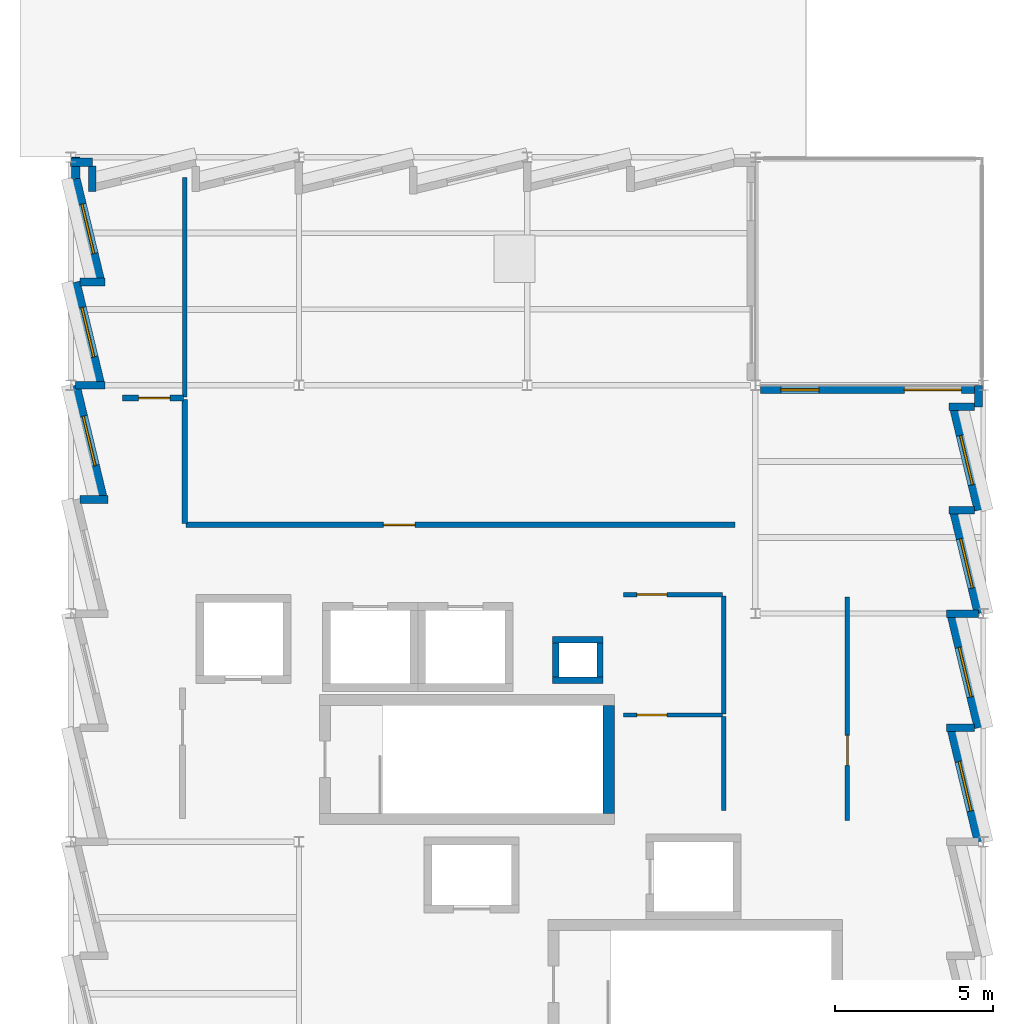
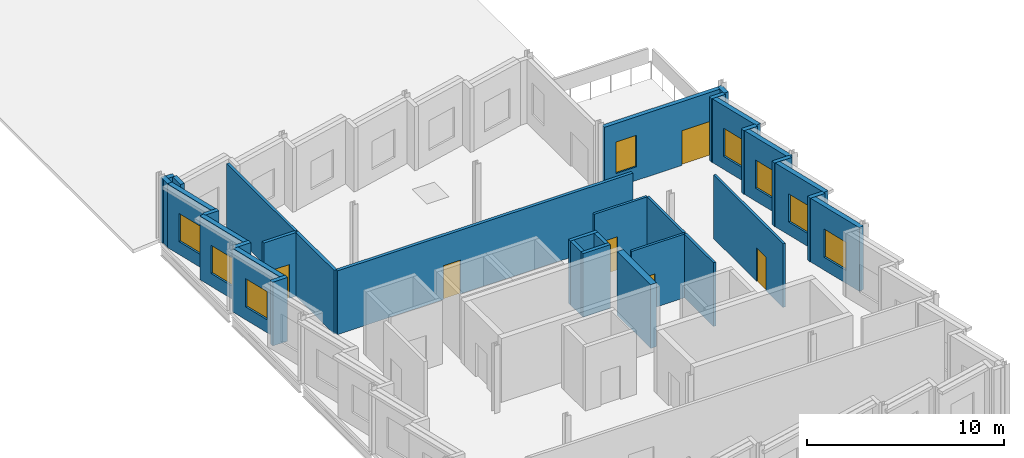
# One storey, part 7 of 9: 33 walls, 8 windows, 6 doors, 14 openings.
"""IFC4 building model written with IfcOpenShell, lengths in metres."""

from ifc_helpers import new_model, si_unit, direction, frame, frame_2d, origin, place, context, subcontext, project, spatial, rectangle, extrude, material, layer, layer_set, type_object, element, fill, save


model = new_model("IFC4")

# Units and contexts
model_context = context("Model", 3, precision=1e-05, world=origin(), true_north=direction((0.0, 1.0)))
body_context = subcontext(model_context, "Body", "Model", "MODEL_VIEW")
ifc_project = project(units=[si_unit("LENGTHUNIT", "METRE"), si_unit("AREAUNIT", "SQUARE_METRE"), si_unit("VOLUMEUNIT", "CUBIC_METRE"), si_unit("PLANEANGLEUNIT", "RADIAN"), si_unit("MASSUNIT", "GRAM", prefix="KILO")], contexts=[model_context])

# Site, building, storey
site_placement = place(None, origin())
site = spatial("IfcSite", under=ifc_project, at=site_placement, CompositionType="ELEMENT")
building_placement = place(site_placement, origin())
building = spatial("IfcBuilding", under=site, at=building_placement, Name="Kalmorath City Hall", CompositionType="ELEMENT")
storey_placement = place(building_placement, frame((0.0, 0.0, 31.050048828125)))
storey = spatial("IfcBuildingStorey", under=building, at=storey_placement, Name="L07", CompositionType="ELEMENT", Elevation=31.050048828125)

# Walls
ifc_material_1 = material(Name="Concrete C50/60", Category="concrete")
ifc_layer_1 = layer(ifc_material_1, 0.35009765625)
ifc_layer_set_1 = layer_set([ifc_layer_1], Name="Concrete C50/60")
wall_type_1 = type_object("IfcWallType", Name="Concrete core shear wall 350", PredefinedType="SHEAR", material=ifc_layer_set_1)
wall_1_placement = place(storey_placement, frame((16.97509765625, 15.300048828125, 0.0), z_axis=(0.0, 0.0, 1.0), x_axis=(0.0, 1.0, 0.0)))
element("IfcWall", 1, at=wall_1_placement, inside=storey, type_object=wall_type_1, Name="L07 C1 stair core shear wall E", PredefinedType="SHEAR", context=body_context, shape_type="SweptSolid", body=[
    extrude(rectangle(XDim=3.39990234375, YDim=0.35009765625, at=frame_2d((1.699951171875, 0.0))), origin(), (0.0, 0.0, 1.0), 3.949951171875),
])
ifc_material_2 = material(Name="Concrete C40/50", Category="concrete")
ifc_layer_2 = layer(ifc_material_2, 0.199951171875)
ifc_layer_set_2 = layer_set([ifc_layer_2], Name="Concrete C40/50")
wall_type_2 = type_object("IfcWallType", Name="Concrete service riser wall 200", PredefinedType="SOLIDWALL", material=ifc_layer_set_2)
for number, where, z_axis, x_axis, name in (
    (2, (15.199951171875, 19.5, 0.0), (0.0, 0.0, 1.0), (1.0, 0.0, 0.0), "L07 RSR-1 riser shaft wall S"),
    (3, (16.800048828125, 20.780029296875, 0.0), (0.0, 0.0, 1.0), (-1.0, 0.0, 0.0), "L07 RSR-1 riser shaft wall N"),
):
    element("IfcWall", number, at=place(storey_placement, frame(where, z_axis=z_axis, x_axis=x_axis)), inside=storey, type_object=wall_type_2, Name=name, PredefinedType="SOLIDWALL", context=body_context, shape_type="SweptSolid", body=[
        extrude(rectangle(XDim=1.60009765625, YDim=0.199951171875, at=frame_2d((0.800048828125, 0.0))), origin(), (0.0, 0.0, 1.0), 3.949951171875),
    ])
for number, where, z_axis, x_axis, name in (
    (4, (15.300048828125, 20.679931640625, 0.0), (0.0, 0.0, 1.0), (0.0, -1.0, 0.0), "L07 RSR-1 riser shaft wall W"),
    (5, (16.699951171875, 19.60009765625, 0.0), (0.0, 0.0, 1.0), (0.0, 1.0, 0.0), "L07 RSR-1 riser shaft wall E"),
):
    element("IfcWall", number, at=place(storey_placement, frame(where, z_axis=z_axis, x_axis=x_axis)), inside=storey, type_object=wall_type_2, Name=name, PredefinedType="SOLIDWALL", context=body_context, shape_type="SweptSolid", body=[
        extrude(rectangle(XDim=1.079833984375, YDim=0.199951171875, at=frame_2d((0.5400390625, 0.0))), origin(), (0.0, 0.0, 1.0), 3.949951171875),
    ])
ifc_material_3 = material(Name="Acoustic metal-stud gypsum partition")
ifc_layer_3 = layer(ifc_material_3, 0.14990234375)
ifc_layer_set_3 = layer_set([ifc_layer_3], Name="Acoustic metal-stud gypsum partition")
wall_type_3 = type_object("IfcWallType", Name="Departmental suite partition 150", PredefinedType="PARTITIONING", material=ifc_layer_set_3)
wall_2_placement = place(storey_placement, frame((3.60009765625, 28.43994140625, 0.0), z_axis=(0.0, 0.0, 1.0), x_axis=(0.0, 1.0, 0.0)))
element("IfcWall", 6, at=wall_2_placement, inside=storey, type_object=wall_type_3, Name="L07 interior partition PW4 #209", PredefinedType="PARTITIONING", context=body_context, shape_type="SweptSolid", body=[
    extrude(rectangle(XDim=6.920166015625, YDim=0.14990234375, at=frame_2d((3.4599609375, 0.0))), origin(), (0.0, 0.0, 1.0), 3.949951171875),
])
ifc_material_4 = material(Name="Fire-rated acoustic gypsum partition")
ifc_layer_4 = layer(ifc_material_4, 0.179931640625)
ifc_layer_set_4 = layer_set([ifc_layer_4], Name="Fire-rated acoustic gypsum partition")
wall_type_4 = type_object("IfcWallType", Name="One-hour corridor fire partition 180", PredefinedType="PARTITIONING", material=ifc_layer_set_4)
wall_3_placement = place(storey_placement, frame((3.60009765625, 24.43994140625, 0.0), z_axis=(0.0, 0.0, 1.0), x_axis=(0.0, 1.0, 0.0)))
element("IfcWall", 7, at=wall_3_placement, inside=storey, type_object=wall_type_4, Name="L07 interior partition PW2 #202", PredefinedType="PARTITIONING", context=body_context, shape_type="SweptSolid", body=[
    extrude(rectangle(XDim=3.920166015625, YDim=0.179931640625, at=frame_2d((1.9599609375, 0.0))), origin(), (0.0, 0.0, 1.0), 3.949951171875),
])

# Wall, opening, door
wall_4_placement = place(storey_placement, frame((1.639892578125, 28.39990234375, 0.0), z_axis=(0.0, 0.0, 1.0), x_axis=(1.0, 0.0, 0.0)))
wall_4 = element("IfcWall", 8, at=wall_4_placement, inside=storey, type_object=wall_type_4, Name="L07 interior partition PW2 #203", PredefinedType="PARTITIONING", context=body_context, shape_type="SweptSolid", body=[
    extrude(rectangle(XDim=1.920166015625, YDim=0.179931640625, at=frame_2d((0.9599609375, 0.0))), origin(), (0.0, 0.0, 1.0), 3.949951171875),
])
opening_1_placement = place(wall_4_placement, frame((0.5, 0.0, 0.0)))
opening_1 = element("IfcOpeningElement", 9, at=opening_1_placement, cuts=wall_4, Name="Opening D-L07-275", PredefinedType="OPENING", context=body_context, shape_type="SweptSolid", body=[
    extrude(rectangle(XDim=1.0, YDim=2.10009765625, at=frame_2d((0.5, 1.050048828125))), frame((0.0, 0.099853515625, 0.0), z_axis=(0.0, -1.0, 0.0), x_axis=(1.0, 0.0, 0.0)), (0.0, 0.0, 1.0), 0.199951171875),
])
ifc_material_5 = material(Name="Hardwood fire door", Category="wood")
door_type_1 = type_object("IfcDoorType", Name="Corridor 60-min fire door 1000x2100", OperationType="NOTDEFINED", PredefinedType="DOOR", material=ifc_material_5)
door_1_placement = place(opening_1_placement, origin())
door_1 = element("IfcDoor", 10, at=door_1_placement, inside=storey, type_object=door_type_1, Name="L07 door D-L07-275", OperationType="SINGLE_SWING_LEFT", OverallHeight=2.10009765625, OverallWidth=1.0, PredefinedType="DOOR", context=body_context, shape_type="SweptSolid", body=[
    extrude(rectangle(XDim=1.0, YDim=2.10009765625, at=frame_2d((0.5, 1.050048828125))), frame((0.0, 0.02490234375, 0.0), z_axis=(0.0, -1.0, 0.0), x_axis=(1.0, 0.0, 0.0)), (0.0, 0.0, 1.0), 0.050048828125),
])
fill(opening_1, door_1)

wall_5_placement = place(storey_placement, frame((3.639892578125, 24.39990234375, 0.0), z_axis=(0.0, 0.0, 1.0), x_axis=(1.0, 0.0, 0.0)))
wall_5 = element("IfcWall", 11, at=wall_5_placement, inside=storey, type_object=wall_type_4, Name="L07 interior partition PW2 #204", PredefinedType="PARTITIONING", context=body_context, shape_type="SweptSolid", body=[
    extrude(rectangle(XDim=17.320068359375, YDim=0.179931640625, at=frame_2d((8.66015625, 0.0))), origin(), (0.0, 0.0, 1.0), 3.949951171875),
])
opening_2_placement = place(wall_5_placement, frame((6.22509765625, 0.0, 0.0)))
opening_2 = element("IfcOpeningElement", 12, at=opening_2_placement, cuts=wall_5, Name="Opening D-L07-274", PredefinedType="OPENING", context=body_context, shape_type="SweptSolid", body=[
    extrude(rectangle(XDim=1.0, YDim=2.10009765625, at=frame_2d((0.5, 1.050048828125))), frame((0.0, 0.099853515625, 0.0), z_axis=(0.0, -1.0, 0.0), x_axis=(1.0, 0.0, 0.0)), (0.0, 0.0, 1.0), 0.199951171875),
])
door_2_placement = place(opening_2_placement, origin())
door_2 = element("IfcDoor", 13, at=door_2_placement, inside=storey, type_object=door_type_1, Name="L07 door D-L07-274", OperationType="SINGLE_SWING_RIGHT", OverallHeight=2.10009765625, OverallWidth=1.0, PredefinedType="DOOR", context=body_context, shape_type="SweptSolid", body=[
    extrude(rectangle(XDim=1.0, YDim=2.10009765625, at=frame_2d((0.5, 1.050048828125))), frame((0.0, 0.02490234375, 0.0), z_axis=(0.0, -1.0, 0.0), x_axis=(1.0, 0.0, 0.0)), (0.0, 0.0, 1.0), 0.050048828125),
])
fill(opening_2, door_2)

# Walls
ifc_material_6 = material(Name="Precast concrete C40/50", Category="concrete")
ifc_layer_5 = layer(ifc_material_6, 0.239990234375)
ifc_layer_set_5 = layer_set([ifc_layer_5], Name="Precast concrete C40/50")
wall_type_5 = type_object("IfcWallType", Name="Precast sawtooth cheek wall 240", PredefinedType="SOLIDWALL", material=ifc_layer_set_5)
wall_6_placement = place(storey_placement, frame((27.630615234375, 18.0, 0.0), z_axis=(0.0, 0.0, 1.0), x_axis=(1.0, 0.0, 0.0)))
element("IfcWall", 14, at=wall_6_placement, inside=storey, type_object=wall_type_5, Name="L07 sawtooth return cheek #1076", PredefinedType="SOLIDWALL", context=body_context, shape_type="SweptSolid", body=[
    extrude(rectangle(XDim=0.87744140625, YDim=0.239990234375, at=frame_2d((0.438720703125, 0.0))), origin(), (0.0, 0.0, 1.0), 3.949951171875),
])
wall_7_placement = place(storey_placement, frame((27.630615234375, 21.60009765625, 0.0), z_axis=(0.0, 0.0, 1.0), x_axis=(1.0, 0.0, 0.0)))
element("IfcWall", 15, at=wall_7_placement, inside=storey, type_object=wall_type_5, Name="L07 sawtooth return cheek #1078", PredefinedType="SOLIDWALL", context=body_context, shape_type="SweptSolid", body=[
    extrude(rectangle(XDim=1.014892578125, YDim=0.239990234375, at=frame_2d((0.50732421875, 0.0))), origin(), (0.0, 0.0, 1.0), 3.949951171875),
])
wall_8_placement = place(storey_placement, frame((27.71240234375, 24.860107421875, 0.0), z_axis=(0.0, 0.0, 1.0), x_axis=(1.0, 0.0, 0.0)))
element("IfcWall", 16, at=wall_8_placement, inside=storey, type_object=wall_type_5, Name="L07 sawtooth return cheek #1081", PredefinedType="SOLIDWALL", context=body_context, shape_type="SweptSolid", body=[
    extrude(rectangle(XDim=0.795654296875, YDim=0.239990234375, at=frame_2d((0.39794921875, 0.0))), origin(), (0.0, 0.0, 1.0), 3.949951171875),
])
for number, where, z_axis, x_axis, name in (
    (17, (27.71240234375, 28.1201171875, 0.0), (0.0, 0.0, 1.0), (1.0, 0.0, 0.0), "L07 sawtooth return cheek #1083"),
    (18, (0.679931640625, 34.912353515625, 0.0), (0.0, 0.0, 1.0), (0.0, 1.0, 0.0), "L07 sawtooth return cheek #1099"),
):
    element("IfcWall", number, at=place(storey_placement, frame(where, z_axis=z_axis, x_axis=x_axis)), inside=storey, type_object=wall_type_5, Name=name, PredefinedType="SOLIDWALL", context=body_context, shape_type="SweptSolid", body=[
        extrude(rectangle(XDim=0.8056640625, YDim=0.239990234375, at=frame_2d((0.40283203125, 0.0))), origin(), (0.0, 0.0, 1.0), 3.949951171875),
    ])
wall_9_placement = place(storey_placement, frame((1.087646484375, 32.06005859375, 0.0), z_axis=(0.0, 0.0, 1.0), x_axis=(-1.0, 0.0, 0.0)))
element("IfcWall", 19, at=wall_9_placement, inside=storey, type_object=wall_type_5, Name="L07 sawtooth return cheek #1102", PredefinedType="SOLIDWALL", context=body_context, shape_type="SweptSolid", body=[
    extrude(rectangle(XDim=0.795654296875, YDim=0.239990234375, at=frame_2d((0.39794921875, 0.0))), origin(), (0.0, 0.0, 1.0), 3.949951171875),
])
wall_10_placement = place(storey_placement, frame((1.087646484375, 28.800048828125, 0.0), z_axis=(0.0, 0.0, 1.0), x_axis=(-1.0, 0.0, 0.0)))
element("IfcWall", 20, at=wall_10_placement, inside=storey, type_object=wall_type_5, Name="L07 sawtooth return cheek #1104", PredefinedType="SOLIDWALL", context=body_context, shape_type="SweptSolid", body=[
    extrude(rectangle(XDim=0.93310546875, YDim=0.239990234375, at=frame_2d((0.466552734375, 0.0))), origin(), (0.0, 0.0, 1.0), 3.949951171875),
])
wall_11_placement = place(storey_placement, frame((1.169189453125, 25.199951171875, 0.0), z_axis=(0.0, 0.0, 1.0), x_axis=(-1.0, 0.0, 0.0)))
element("IfcWall", 21, at=wall_11_placement, inside=storey, type_object=wall_type_5, Name="L07 sawtooth return cheek #1106", PredefinedType="SOLIDWALL", context=body_context, shape_type="SweptSolid", body=[
    extrude(rectangle(XDim=0.877197265625, YDim=0.239990234375, at=frame_2d((0.4384765625, 0.0))), origin(), (0.0, 0.0, 1.0), 3.949951171875),
])

# Wall, opening, window
ifc_material_7 = material(Name="Precast concrete C40/50", Category="concrete")
ifc_layer_6 = layer(ifc_material_7, 0.280029296875)
ifc_layer_set_6 = layer_set([ifc_layer_6], Name="Precast concrete C40/50")
wall_type_6 = type_object("IfcWallType", Name="Precast sawtooth facade wall 280", PredefinedType="SOLIDWALL", material=ifc_layer_set_6)
wall_12_placement = place(storey_placement, frame((28.639892578125, 14.39990234375, 0.0), z_axis=(0.0, 0.0, 1.0), x_axis=(-0.233416465917, 0.972376857725, 0.0)))
wall_12 = element("IfcWall", 22, at=wall_12_placement, inside=storey, type_object=wall_type_6, Name="L07 sawtooth precast frame #1075", PredefinedType="SOLIDWALL", context=body_context, shape_type="SweptSolid", body=[
    extrude(rectangle(XDim=3.607421875, YDim=0.280029296875, at=frame_2d((1.8037109375, 0.0))), origin(), (0.0, 0.0, 1.0), 3.949951171875),
])
opening_3_placement = place(wall_12_placement, frame((1.003662109375, 0.0, 0.800048828125)))
opening_3 = element("IfcOpeningElement", 23, at=opening_3_placement, cuts=wall_12, Name="Opening WN3", PredefinedType="OPENING", context=body_context, shape_type="SweptSolid", body=[
    extrude(rectangle(XDim=1.60009765625, YDim=1.75, at=frame_2d((0.800048828125, 0.875))), frame((0.0, 0.14990234375, 0.0), z_axis=(0.0, -1.0, 0.0), x_axis=(1.0, 0.0, 0.0)), (0.0, 0.0, 1.0), 0.300048828125),
])
ifc_material_8 = material(Name="Aluminium and laminated glass", Category="aluminium")
window_type_1 = type_object("IfcWindowType", Name="Sawtooth upper window 1600x1750", PartitioningType="SINGLE_PANEL", PredefinedType="WINDOW", material=ifc_material_8)
window_1_placement = place(opening_3_placement, origin())
window_1 = element("IfcWindow", 24, at=window_1_placement, inside=storey, type_object=window_type_1, Name="L07 window WN3-548", OverallHeight=1.75, OverallWidth=1.60009765625, PartitioningType="SINGLE_PANEL", PredefinedType="WINDOW", context=body_context, shape_type="SweptSolid", body=[
    extrude(rectangle(XDim=1.60009765625, YDim=1.75, at=frame_2d((0.800048828125, 0.875))), frame((0.0, 0.030029296875, 0.0), z_axis=(0.0, -1.0, 0.0), x_axis=(1.0, 0.0, 0.0)), (0.0, 0.0, 1.0), 0.06005859375),
])
fill(opening_3, window_1)

wall_13_placement = place(storey_placement, frame((28.639892578125, 18.0, 0.0), z_axis=(0.0, 0.0, 1.0), x_axis=(-0.233431827365, 0.972373170122, 0.0)))
wall_13 = element("IfcWall", 25, at=wall_13_placement, inside=storey, type_object=wall_type_6, Name="L07 sawtooth precast frame #1077", PredefinedType="SOLIDWALL", context=body_context, shape_type="SweptSolid", body=[
    extrude(rectangle(XDim=3.607177734375, YDim=0.280029296875, at=frame_2d((1.8037109375, 0.0))), origin(), (0.0, 0.0, 1.0), 3.949951171875),
])
opening_4_placement = place(wall_13_placement, frame((1.003662109375, 0.0, 0.800048828125)))
opening_4 = element("IfcOpeningElement", 26, at=opening_4_placement, cuts=wall_13, Name="Opening WN3", PredefinedType="OPENING", context=body_context, shape_type="SweptSolid", body=[
    extrude(rectangle(XDim=1.60009765625, YDim=1.75, at=frame_2d((0.800048828125, 0.875))), frame((0.0, 0.14990234375, 0.0), z_axis=(0.0, -1.0, 0.0), x_axis=(1.0, 0.0, 0.0)), (0.0, 0.0, 1.0), 0.300048828125),
])
window_2_placement = place(opening_4_placement, origin())
window_2 = element("IfcWindow", 27, at=window_2_placement, inside=storey, type_object=window_type_1, Name="L07 window WN3-549", OverallHeight=1.75, OverallWidth=1.60009765625, PartitioningType="SINGLE_PANEL", PredefinedType="WINDOW", context=body_context, shape_type="SweptSolid", body=[
    extrude(rectangle(XDim=1.60009765625, YDim=1.75, at=frame_2d((0.800048828125, 0.875))), frame((0.0, 0.030029296875, 0.0), z_axis=(0.0, -1.0, 0.0), x_axis=(1.0, 0.0, 0.0)), (0.0, 0.0, 1.0), 0.06005859375),
])
fill(opening_4, window_2)

wall_14_placement = place(storey_placement, frame((28.639892578125, 21.60009765625, 0.0), z_axis=(0.0, 0.0, 1.0), x_axis=(-0.233460824675, 0.972366208453, 0.0)))
wall_14 = element("IfcWall", 28, at=wall_14_placement, inside=storey, type_object=wall_type_6, Name="L07 sawtooth precast frame #1080", PredefinedType="SOLIDWALL", context=body_context, shape_type="SweptSolid", body=[
    extrude(rectangle(XDim=3.257568359375, YDim=0.280029296875, at=frame_2d((1.62890625, 0.0))), origin(), (0.0, 0.0, 1.0), 3.949951171875),
])
opening_5_placement = place(wall_14_placement, frame((0.828857421875, 0.0, 0.800048828125)))
opening_5 = element("IfcOpeningElement", 29, at=opening_5_placement, cuts=wall_14, Name="Opening WN3", PredefinedType="OPENING", context=body_context, shape_type="SweptSolid", body=[
    extrude(rectangle(XDim=1.60009765625, YDim=1.75, at=frame_2d((0.800048828125, 0.875))), frame((0.0, 0.14990234375, 0.0), z_axis=(0.0, -1.0, 0.0), x_axis=(1.0, 0.0, 0.0)), (0.0, 0.0, 1.0), 0.300048828125),
])
window_3_placement = place(opening_5_placement, origin())
window_3 = element("IfcWindow", 30, at=window_3_placement, inside=storey, type_object=window_type_1, Name="L07 window WN3-550", OverallHeight=1.75, OverallWidth=1.60009765625, PartitioningType="SINGLE_PANEL", PredefinedType="WINDOW", context=body_context, shape_type="SweptSolid", body=[
    extrude(rectangle(XDim=1.60009765625, YDim=1.75, at=frame_2d((0.800048828125, 0.875))), frame((0.0, 0.030029296875, 0.0), z_axis=(0.0, -1.0, 0.0), x_axis=(1.0, 0.0, 0.0)), (0.0, 0.0, 1.0), 0.06005859375),
])
fill(opening_5, window_3)

wall_15_placement = place(storey_placement, frame((28.639892578125, 24.860107421875, 0.0), z_axis=(0.0, 0.0, 1.0), x_axis=(-0.233460824675, 0.972366208453, 0.0)))
wall_15 = element("IfcWall", 31, at=wall_15_placement, inside=storey, type_object=wall_type_6, Name="L07 sawtooth precast frame #1082", PredefinedType="SOLIDWALL", context=body_context, shape_type="SweptSolid", body=[
    extrude(rectangle(XDim=3.257568359375, YDim=0.280029296875, at=frame_2d((1.62890625, 0.0))), origin(), (0.0, 0.0, 1.0), 3.949951171875),
])
opening_6_placement = place(wall_15_placement, frame((0.828857421875, 0.0, 0.800048828125)))
opening_6 = element("IfcOpeningElement", 32, at=opening_6_placement, cuts=wall_15, Name="Opening WN3", PredefinedType="OPENING", context=body_context, shape_type="SweptSolid", body=[
    extrude(rectangle(XDim=1.60009765625, YDim=1.75, at=frame_2d((0.800048828125, 0.875))), frame((0.0, 0.14990234375, 0.0), z_axis=(0.0, -1.0, 0.0), x_axis=(1.0, 0.0, 0.0)), (0.0, 0.0, 1.0), 0.300048828125),
])
window_4_placement = place(opening_6_placement, origin())
window_4 = element("IfcWindow", 33, at=window_4_placement, inside=storey, type_object=window_type_1, Name="L07 window WN3-551", OverallHeight=1.75, OverallWidth=1.60009765625, PartitioningType="SINGLE_PANEL", PredefinedType="WINDOW", context=body_context, shape_type="SweptSolid", body=[
    extrude(rectangle(XDim=1.60009765625, YDim=1.75, at=frame_2d((0.800048828125, 0.875))), frame((0.0, 0.030029296875, 0.0), z_axis=(0.0, -1.0, 0.0), x_axis=(1.0, 0.0, 0.0)), (0.0, 0.0, 1.0), 0.06005859375),
])
fill(opening_6, window_4)

wall_16_placement = place(storey_placement, frame((0.159912109375, 35.320068359375, 0.0), z_axis=(0.0, 0.0, 1.0), x_axis=(0.233443812137, -0.972370292931, 0.0)))
wall_16 = element("IfcWall", 34, at=wall_16_placement, inside=storey, type_object=wall_type_6, Name="L07 sawtooth precast frame #1101", PredefinedType="SOLIDWALL", context=body_context, shape_type="SweptSolid", body=[
    extrude(rectangle(XDim=3.2578125, YDim=0.280029296875, at=frame_2d((1.62890625, 0.0))), origin(), (0.0, 0.0, 1.0), 3.949951171875),
])
opening_7_placement = place(wall_16_placement, frame((0.828857421875, 0.0, 0.800048828125)))
opening_7 = element("IfcOpeningElement", 35, at=opening_7_placement, cuts=wall_16, Name="Opening WN3", PredefinedType="OPENING", context=body_context, shape_type="SweptSolid", body=[
    extrude(rectangle(XDim=1.60009765625, YDim=1.75, at=frame_2d((0.800048828125, 0.875))), frame((0.0, 0.14990234375, 0.0), z_axis=(0.0, -1.0, 0.0), x_axis=(1.0, 0.0, 0.0)), (0.0, 0.0, 1.0), 0.300048828125),
])
window_5_placement = place(opening_7_placement, origin())
window_5 = element("IfcWindow", 36, at=window_5_placement, inside=storey, type_object=window_type_1, Name="L07 window WN3-560", OverallHeight=1.75, OverallWidth=1.60009765625, PartitioningType="SINGLE_PANEL", PredefinedType="WINDOW", context=body_context, shape_type="SweptSolid", body=[
    extrude(rectangle(XDim=1.60009765625, YDim=1.75, at=frame_2d((0.800048828125, 0.875))), frame((0.0, 0.030029296875, 0.0), z_axis=(0.0, -1.0, 0.0), x_axis=(1.0, 0.0, 0.0)), (0.0, 0.0, 1.0), 0.06005859375),
])
fill(opening_7, window_5)

wall_17_placement = place(storey_placement, frame((0.159912109375, 32.06005859375, 0.0), z_axis=(0.0, 0.0, 1.0), x_axis=(0.233443812137, -0.972370292931, 0.0)))
wall_17 = element("IfcWall", 37, at=wall_17_placement, inside=storey, type_object=wall_type_6, Name="L07 sawtooth precast frame #1103", PredefinedType="SOLIDWALL", context=body_context, shape_type="SweptSolid", body=[
    extrude(rectangle(XDim=3.2578125, YDim=0.280029296875, at=frame_2d((1.62890625, 0.0))), origin(), (0.0, 0.0, 1.0), 3.949951171875),
])
opening_8_placement = place(wall_17_placement, frame((0.828857421875, 0.0, 0.800048828125)))
opening_8 = element("IfcOpeningElement", 38, at=opening_8_placement, cuts=wall_17, Name="Opening WN3", PredefinedType="OPENING", context=body_context, shape_type="SweptSolid", body=[
    extrude(rectangle(XDim=1.60009765625, YDim=1.75, at=frame_2d((0.800048828125, 0.875))), frame((0.0, 0.14990234375, 0.0), z_axis=(0.0, -1.0, 0.0), x_axis=(1.0, 0.0, 0.0)), (0.0, 0.0, 1.0), 0.300048828125),
])
window_6_placement = place(opening_8_placement, origin())
window_6 = element("IfcWindow", 39, at=window_6_placement, inside=storey, type_object=window_type_1, Name="L07 window WN3-561", OverallHeight=1.75, OverallWidth=1.60009765625, PartitioningType="SINGLE_PANEL", PredefinedType="WINDOW", context=body_context, shape_type="SweptSolid", body=[
    extrude(rectangle(XDim=1.60009765625, YDim=1.75, at=frame_2d((0.800048828125, 0.875))), frame((0.0, 0.030029296875, 0.0), z_axis=(0.0, -1.0, 0.0), x_axis=(1.0, 0.0, 0.0)), (0.0, 0.0, 1.0), 0.06005859375),
])
fill(opening_8, window_6)

wall_18_placement = place(storey_placement, frame((0.159912109375, 28.800048828125, 0.0), z_axis=(0.0, 0.0, 1.0), x_axis=(0.233495818898, -0.972357805829, 0.0)))
wall_18 = element("IfcWall", 40, at=wall_18_placement, inside=storey, type_object=wall_type_6, Name="L07 sawtooth precast frame #1105", PredefinedType="SOLIDWALL", context=body_context, shape_type="SweptSolid", body=[
    extrude(rectangle(XDim=3.607177734375, YDim=0.280029296875, at=frame_2d((1.8037109375, 0.0))), origin(), (0.0, 0.0, 1.0), 3.949951171875),
])
opening_9_placement = place(wall_18_placement, frame((1.003662109375, 0.0, 0.800048828125)))
opening_9 = element("IfcOpeningElement", 41, at=opening_9_placement, cuts=wall_18, Name="Opening WN3", PredefinedType="OPENING", context=body_context, shape_type="SweptSolid", body=[
    extrude(rectangle(XDim=1.60009765625, YDim=1.75, at=frame_2d((0.800048828125, 0.875))), frame((0.0, 0.14990234375, 0.0), z_axis=(0.0, -1.0, 0.0), x_axis=(1.0, 0.0, 0.0)), (0.0, 0.0, 1.0), 0.300048828125),
])
window_7_placement = place(opening_9_placement, origin())
window_7 = element("IfcWindow", 42, at=window_7_placement, inside=storey, type_object=window_type_1, Name="L07 window WN3-562", OverallHeight=1.75, OverallWidth=1.60009765625, PartitioningType="SINGLE_PANEL", PredefinedType="WINDOW", context=body_context, shape_type="SweptSolid", body=[
    extrude(rectangle(XDim=1.60009765625, YDim=1.75, at=frame_2d((0.800048828125, 0.875))), frame((0.0, 0.030029296875, 0.0), z_axis=(0.0, -1.0, 0.0), x_axis=(1.0, 0.0, 0.0)), (0.0, 0.0, 1.0), 0.06005859375),
])
fill(opening_9, window_7)

# Walls
ifc_material_9 = material(Name="Precast concrete C40/50", Category="concrete")
ifc_layer_7 = layer(ifc_material_9, 0.260009765625)
ifc_layer_set_7 = layer_set([ifc_layer_7], Name="Precast concrete C40/50")
wall_type_7 = type_object("IfcWallType", Name="Precast sawtooth return wall 260", PredefinedType="SOLIDWALL", material=ifc_layer_set_7)
for number, where, z_axis, x_axis, name in (
    (43, (28.639892578125, 28.1201171875, 0.0), (0.0, 0.0, 1.0), (0.0, 1.0, 0.0), "L07 corner pier wall #1079"),
    (44, (0.679931640625, 35.840087890625, 0.0), (0.0, 0.0, 1.0), (-1.0, 0.0, 0.0), "L07 corner pier wall #1095"),
    (45, (0.159912109375, 36.0, 0.0), (0.0, 0.0, 1.0), (0.0, -1.0, 0.0), "L07 corner pier wall #1100"),
):
    element("IfcWall", number, at=place(storey_placement, frame(where, z_axis=z_axis, x_axis=x_axis)), inside=storey, type_object=wall_type_7, Name=name, PredefinedType="SOLIDWALL", context=body_context, shape_type="SweptSolid", body=[
        extrude(rectangle(XDim=0.679931640625, YDim=0.260009765625, at=frame_2d((0.33984375, 0.0))), origin(), (0.0, 0.0, 1.0), 3.949951171875),
    ])

# Wall, openings, window, door
ifc_material_10 = material(Name="Precast concrete C40/50", Category="concrete")
ifc_layer_8 = layer(ifc_material_10, 0.239990234375)
ifc_layer_set_8 = layer_set([ifc_layer_8], Name="Precast concrete C40/50")
wall_type_8 = type_object("IfcWallType", Name="Recessed loggia insulated wall 240", PredefinedType="SOLIDWALL", material=ifc_layer_set_8)
wall_19_placement = place(storey_placement, frame((28.646484375, 28.659912109375, 0.0), z_axis=(0.0, 0.0, 1.0), x_axis=(-1.0, 0.0, 0.0)))
wall_19 = element("IfcWall", 46, at=wall_19_placement, inside=storey, type_object=wall_type_8, Name="L07 loggia wall #1084", PredefinedType="SOLIDWALL", context=body_context, shape_type="SweptSolid", body=[
    extrude(rectangle(XDim=6.89306640625, YDim=0.239990234375, at=frame_2d((3.446533203125, 0.0))), origin(), (0.0, 0.0, 1.0), 3.949951171875),
])
opening_10_placement = place(wall_19_placement, frame((0.550048828125, 0.0, 0.0)))
opening_10 = element("IfcOpeningElement", 47, at=opening_10_placement, cuts=wall_19, Name="Opening D-E042", PredefinedType="OPENING", context=body_context, shape_type="SweptSolid", body=[
    extrude(rectangle(XDim=1.800048828125, YDim=2.14990234375, at=frame_2d((0.89990234375, 1.074951171875))), frame((0.0, 0.1298828125, 0.0), z_axis=(0.0, -1.0, 0.0), x_axis=(1.0, 0.0, 0.0)), (0.0, 0.0, 1.0), 0.260009765625),
])
opening_11_placement = place(wall_19_placement, frame((5.04296875, 0.0, 0.85009765625)))
opening_11 = element("IfcOpeningElement", 48, at=opening_11_placement, cuts=wall_19, Name="Opening WN16", PredefinedType="OPENING", context=body_context, shape_type="SweptSolid", body=[
    extrude(rectangle(XDim=1.199951171875, YDim=1.949951171875, at=frame_2d((0.60009765625, 0.97509765625))), frame((0.0, 0.1298828125, 0.0), z_axis=(0.0, -1.0, 0.0), x_axis=(1.0, 0.0, 0.0)), (0.0, 0.0, 1.0), 0.260009765625),
])
ifc_material_11 = material(Name="Hardwood-trimmed laminated glass", Category="wood")
window_type_2 = type_object("IfcWindowType", Name="Loggia sidelight window 1200x1950", PartitioningType="SINGLE_PANEL", PredefinedType="WINDOW", material=ifc_material_11)
window_8_placement = place(opening_11_placement, origin())
window_8 = element("IfcWindow", 49, at=window_8_placement, inside=storey, type_object=window_type_2, Name="L07 window WN16-552", OverallHeight=1.949951171875, OverallWidth=1.199951171875, PartitioningType="SINGLE_PANEL", PredefinedType="WINDOW", context=body_context, shape_type="SweptSolid", body=[
    extrude(rectangle(XDim=1.199951171875, YDim=1.949951171875, at=frame_2d((0.60009765625, 0.97509765625))), frame((0.0, 0.030029296875, 0.0), z_axis=(0.0, -1.0, 0.0), x_axis=(1.0, 0.0, 0.0)), (0.0, 0.0, 1.0), 0.06005859375),
])
fill(opening_11, window_8)
ifc_material_12 = material(Name="Bronze-anodised aluminium and glass", Category="aluminium")
door_type_2 = type_object("IfcDoorType", Name="Roof garden double terrace door 1800x2150", OperationType="DOUBLE_DOOR_SINGLE_SWING", PredefinedType="DOOR", material=ifc_material_12)
door_3_placement = place(opening_10_placement, frame((1.800048828125, 0.0, 0.0), z_axis=(0.0, 0.0, 1.0), x_axis=(-1.0, 0.0, 0.0)))
door_3 = element("IfcDoor", 50, at=door_3_placement, inside=storey, type_object=door_type_2, Name="L07 exterior door D-E042", OperationType="DOUBLE_DOOR_SINGLE_SWING", OverallHeight=2.14990234375, OverallWidth=1.800048828125, PredefinedType="DOOR", context=body_context, shape_type="SweptSolid", body=[
    extrude(rectangle(XDim=1.800048828125, YDim=2.14990234375, at=frame_2d((0.89990234375, 1.074951171875))), frame((0.0, 0.02490234375, 0.0), z_axis=(0.0, -1.0, 0.0), x_axis=(1.0, 0.0, 0.0)), (0.0, 0.0, 1.0), 0.050048828125),
])
fill(opening_10, door_3)

# Wall, opening, door
ifc_material_13 = material(Name="Moisture-resistant fire-rated partition")
ifc_layer_9 = layer(ifc_material_13, 0.139892578125)
ifc_layer_set_9 = layer_set([ifc_layer_9], Name="Moisture-resistant fire-rated partition")
wall_type_9 = type_object("IfcWallType", Name="Restroom wet-wall tile partition 140", PredefinedType="PARTITIONING", material=ifc_layer_set_9)
wall_20_placement = place(storey_placement, frame((17.43994140625, 22.199951171875, 0.0), z_axis=(0.0, 0.0, 1.0), x_axis=(1.0, 0.0, 0.0)))
wall_20 = element("IfcWall", 51, at=wall_20_placement, inside=storey, type_object=wall_type_9, Name="L07 interior partition PW5 #205", PredefinedType="PARTITIONING", context=body_context, shape_type="SweptSolid", body=[
    extrude(rectangle(XDim=3.1201171875, YDim=0.139892578125, at=frame_2d((1.56005859375, 0.0))), origin(), (0.0, 0.0, 1.0), 3.949951171875),
])
opening_12_placement = place(wall_20_placement, frame((0.419921875, 0.0, 0.0)))
opening_12 = element("IfcOpeningElement", 52, at=opening_12_placement, cuts=wall_20, Name="Opening D-L07-277", PredefinedType="OPENING", context=body_context, shape_type="SweptSolid", body=[
    extrude(rectangle(XDim=0.949951171875, YDim=2.080078125, at=frame_2d((0.47509765625, 1.0400390625))), frame((0.0, 0.079833984375, 0.0), z_axis=(0.0, -1.0, 0.0), x_axis=(1.0, 0.0, 0.0)), (0.0, 0.0, 1.0), 0.159912109375),
])
ifc_material_14 = material(Name="Laminate solid-core door")
door_type_3 = type_object("IfcDoorType", Name="Restroom accessible door 950x2080", OperationType="NOTDEFINED", PredefinedType="DOOR", material=ifc_material_14)
door_4_placement = place(opening_12_placement, origin())
door_4 = element("IfcDoor", 53, at=door_4_placement, inside=storey, type_object=door_type_3, Name="L07 door D-L07-277", OperationType="SINGLE_SWING_LEFT", OverallHeight=2.080078125, OverallWidth=0.949951171875, PredefinedType="DOOR", context=body_context, shape_type="SweptSolid", body=[
    extrude(rectangle(XDim=0.949951171875, YDim=2.080078125, at=frame_2d((0.47509765625, 1.0400390625))), frame((0.0, 0.02490234375, 0.0), z_axis=(0.0, -1.0, 0.0), x_axis=(1.0, 0.0, 0.0)), (0.0, 0.0, 1.0), 0.050048828125),
])
fill(opening_12, door_4)

wall_21_placement = place(storey_placement, frame((24.5, 15.07080078125, 0.0), z_axis=(0.0, 0.0, 1.0), x_axis=(0.0, 1.0, 0.0)))
wall_21 = element("IfcWall", 54, at=wall_21_placement, inside=storey, type_object=wall_type_9, Name="L07 interior partition PW5 #208", PredefinedType="PARTITIONING", context=body_context, shape_type="SweptSolid", body=[
    extrude(rectangle(XDim=7.05859375, YDim=0.139892578125, at=frame_2d((3.529296875, 0.0))), origin(), (0.0, 0.0, 1.0), 3.949951171875),
])
opening_13_placement = place(wall_21_placement, frame((1.737060546875, 0.0, 0.0)))
opening_13 = element("IfcOpeningElement", 55, at=opening_13_placement, cuts=wall_21, Name="Opening D-L07-278", PredefinedType="OPENING", context=body_context, shape_type="SweptSolid", body=[
    extrude(rectangle(XDim=0.949951171875, YDim=2.080078125, at=frame_2d((0.47509765625, 1.0400390625))), frame((0.0, 0.079833984375, 0.0), z_axis=(0.0, -1.0, 0.0), x_axis=(1.0, 0.0, 0.0)), (0.0, 0.0, 1.0), 0.159912109375),
])
door_5_placement = place(opening_13_placement, origin())
door_5 = element("IfcDoor", 56, at=door_5_placement, inside=storey, type_object=door_type_3, Name="L07 door D-L07-278", OperationType="SINGLE_SWING_RIGHT", OverallHeight=2.080078125, OverallWidth=0.949951171875, PredefinedType="DOOR", context=body_context, shape_type="SweptSolid", body=[
    extrude(rectangle(XDim=0.949951171875, YDim=2.080078125, at=frame_2d((0.47509765625, 1.0400390625))), frame((0.0, 0.02490234375, 0.0), z_axis=(0.0, -1.0, 0.0), x_axis=(1.0, 0.0, 0.0)), (0.0, 0.0, 1.0), 0.050048828125),
])
fill(opening_13, door_5)

wall_22_placement = place(storey_placement, frame((17.43994140625, 18.39990234375, 0.0), z_axis=(0.0, 0.0, 1.0), x_axis=(1.0, 0.0, 0.0)))
wall_22 = element("IfcWall", 57, at=wall_22_placement, inside=storey, type_object=wall_type_9, Name="L07 interior partition PW5 #210", PredefinedType="PARTITIONING", context=body_context, shape_type="SweptSolid", body=[
    extrude(rectangle(XDim=3.1201171875, YDim=0.139892578125, at=frame_2d((1.56005859375, 0.0))), origin(), (0.0, 0.0, 1.0), 3.949951171875),
])
opening_14_placement = place(wall_22_placement, frame((0.419921875, 0.0, 0.0)))
opening_14 = element("IfcOpeningElement", 58, at=opening_14_placement, cuts=wall_22, Name="Opening D-L07-276", PredefinedType="OPENING", context=body_context, shape_type="SweptSolid", body=[
    extrude(rectangle(XDim=0.949951171875, YDim=2.080078125, at=frame_2d((0.47509765625, 1.0400390625))), frame((0.0, 0.079833984375, 0.0), z_axis=(0.0, -1.0, 0.0), x_axis=(1.0, 0.0, 0.0)), (0.0, 0.0, 1.0), 0.159912109375),
])
door_6_placement = place(opening_14_placement, origin())
door_6 = element("IfcDoor", 59, at=door_6_placement, inside=storey, type_object=door_type_3, Name="L07 door D-L07-276", OperationType="SINGLE_SWING_RIGHT", OverallHeight=2.080078125, OverallWidth=0.949951171875, PredefinedType="DOOR", context=body_context, shape_type="SweptSolid", body=[
    extrude(rectangle(XDim=0.949951171875, YDim=2.080078125, at=frame_2d((0.47509765625, 1.0400390625))), frame((0.0, 0.02490234375, 0.0), z_axis=(0.0, -1.0, 0.0), x_axis=(1.0, 0.0, 0.0)), (0.0, 0.0, 1.0), 0.050048828125),
])
fill(opening_14, door_6)

# Walls
wall_23_placement = place(storey_placement, frame((20.60009765625, 15.389892578125, 0.0), z_axis=(0.0, 0.0, 1.0), x_axis=(0.0, 1.0, 0.0)))
element("IfcWall", 60, at=wall_23_placement, inside=storey, type_object=wall_type_9, Name="L07 interior partition PW5 #211", PredefinedType="PARTITIONING", context=body_context, shape_type="SweptSolid", body=[
    extrude(rectangle(XDim=2.97021484375, YDim=0.139892578125, at=frame_2d((1.485107421875, 0.0))), origin(), (0.0, 0.0, 1.0), 3.949951171875),
])
wall_24_placement = place(storey_placement, frame((20.60009765625, 18.43994140625, 0.0), z_axis=(0.0, 0.0, 1.0), x_axis=(0.0, 1.0, 0.0)))
element("IfcWall", 61, at=wall_24_placement, inside=storey, type_object=wall_type_9, Name="L07 interior partition PW5 #212", PredefinedType="PARTITIONING", context=body_context, shape_type="SweptSolid", body=[
    extrude(rectangle(XDim=3.719970703125, YDim=0.139892578125, at=frame_2d((1.85986328125, 0.0))), origin(), (0.0, 0.0, 1.0), 3.949951171875),
])

save(model, "model.ifc")
